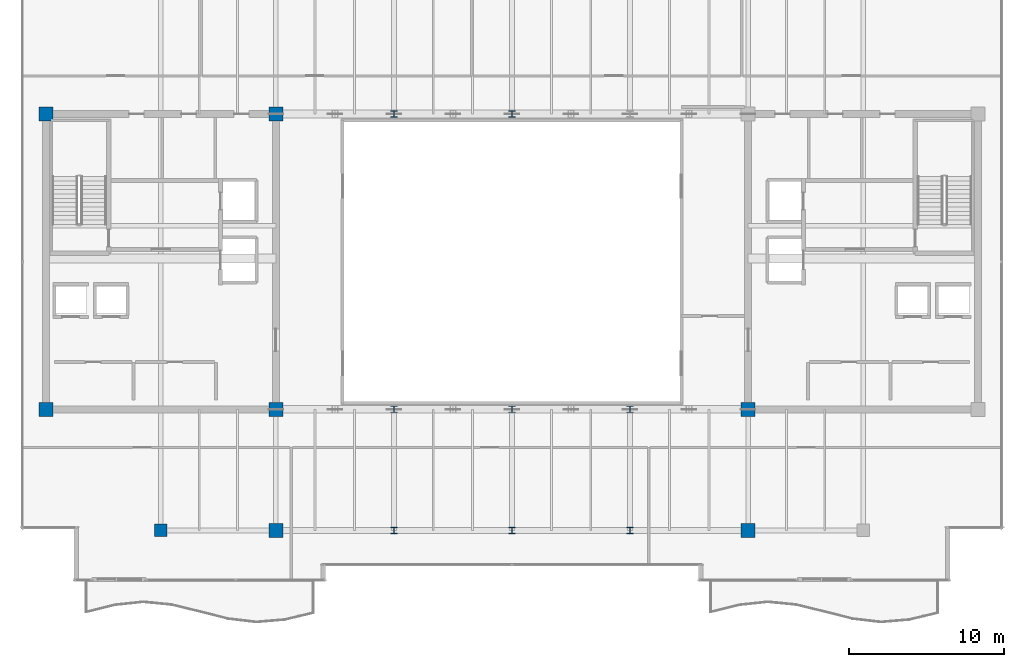
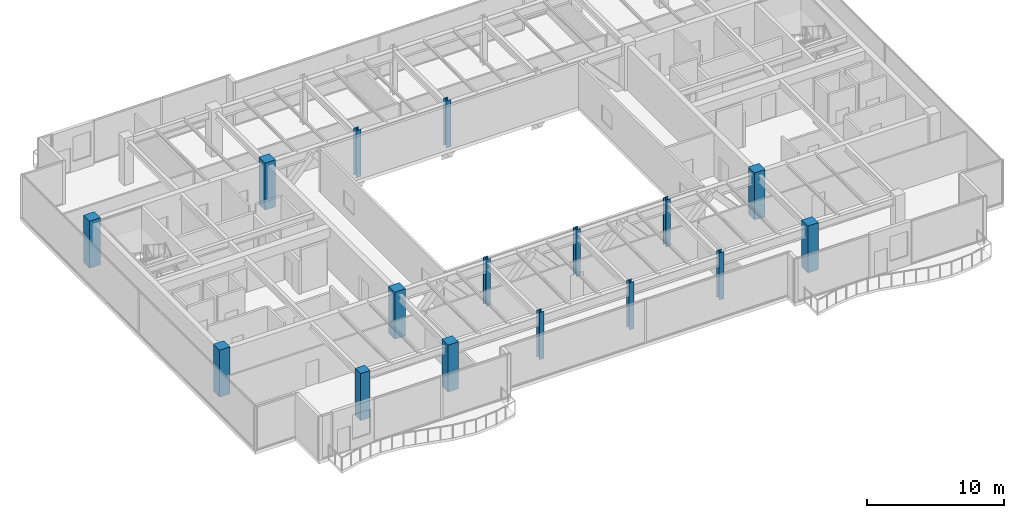
# One storey, part 1 of 31: 16 columns.
"""IFC4 building model written with IfcOpenShell, lengths in metres."""

from ifc_helpers import new_model, si_unit, direction, frame, origin, origin_2d, place, context, subcontext, project, spatial, rectangle, i_section, extrude, source, transform, mapped, material, material_profile, profile_set, type_object, type_shapes, element, save


model = new_model("IFC4")

# Units and contexts
model_context = context("Model", 3, precision=1e-05, world=origin(), true_north=direction((0.0, 1.0)))
body_context = subcontext(model_context, "Body", "Model", "MODEL_VIEW")
ifc_project = project(units=[si_unit("LENGTHUNIT", "METRE"), si_unit("AREAUNIT", "SQUARE_METRE"), si_unit("VOLUMEUNIT", "CUBIC_METRE"), si_unit("PLANEANGLEUNIT", "RADIAN"), si_unit("MASSUNIT", "GRAM", prefix="KILO")], contexts=[model_context])

# Site, building, storey
site_placement = place(None, origin())
site = spatial("IfcSite", under=ifc_project, at=site_placement, CompositionType="ELEMENT")
building_placement = place(site_placement, origin())
building = spatial("IfcBuilding", under=site, at=building_placement, Name="Haelvirn Gate Laboratories", CompositionType="ELEMENT")
storey_placement = place(building_placement, frame((0.0, 0.0, 310.199951171875)))
storey = spatial("IfcBuildingStorey", under=building, at=storey_placement, Name="L74", CompositionType="ELEMENT", Elevation=310.199951171875)

# Columns
ifc_material_1 = material(Name="Concrete C50/60", Category="concrete")
ifc_material_profile_1 = material_profile(ifc_material_1, rectangle(XDim=0.800048828125, YDim=0.800048828125, at=origin_2d()), Name="RC-800x800")
ifc_profile_set_1 = profile_set([ifc_material_profile_1], Name="Concrete C50/60")
column_type_1 = type_object("IfcColumnType", Name="COL-RC-800", PredefinedType="COLUMN", material=ifc_profile_set_1)
shared_shape_1 = source(origin(), body_context, "Body", "SweptSolid", [
    extrude(rectangle(XDim=0.800048828125, YDim=0.800048828125, at=origin_2d()), origin(), (0.0, 0.0, 1.0), 4.199951171875),
])
type_shapes(column_type_1, [shared_shape_1])
column_placement = place(storey_placement, frame((14.800048828125, 7.0, 0.0), z_axis=(0.0, 0.0, 1.0), x_axis=(1.0, 0.0, 0.0)))
element("IfcColumn", 1, at=column_placement, inside=storey, type_object=column_type_1, Name="L74 Column 3B", PredefinedType="COLUMN", context=body_context, shape_type="MappedRepresentation", body=[
    mapped(shared_shape_1, transform((0.0, 0.0, 0.0), scale=1.0)),
])
ifc_material_profile_2 = material_profile(ifc_material_1, rectangle(XDim=0.89990234375, YDim=0.89990234375, at=origin_2d()), Name="RC-900x900")
ifc_profile_set_2 = profile_set([ifc_material_profile_2], Name="Concrete C50/60")
column_type_2 = type_object("IfcColumnType", Name="COL-RC-900", PredefinedType="COLUMN", material=ifc_profile_set_2)
shared_shape_2 = source(origin(), body_context, "Body", "SweptSolid", [
    extrude(rectangle(XDim=0.89990234375, YDim=0.89990234375, at=origin_2d()), origin(), (0.0, 0.0, 1.0), 4.199951171875),
])
type_shapes(column_type_2, [shared_shape_2])
for number, where, z_axis, x_axis, name in (
    (2, (22.199951171875, 7.0, 0.0), (0.0, 0.0, 1.0), (1.0, 0.0, 0.0), "L74 Column 4B"),
    (3, (7.39990234375, 14.800048828125, 0.0), (0.0, 0.0, 1.0), (1.0, 0.0, 0.0), "L74 Column 2C"),
    (4, (22.199951171875, 14.800048828125, 0.0), (0.0, 0.0, 1.0), (1.0, 0.0, 0.0), "L74 Column 4C"),
    (5, (7.39990234375, 33.800048828125, 0.0), (0.0, 0.0, 1.0), (1.0, 0.0, 0.0), "L74 Column 2F"),
    (6, (22.199951171875, 33.800048828125, 0.0), (0.0, 0.0, 1.0), (1.0, 0.0, 0.0), "L74 Column 4F"),
    (7, (52.60009765625, 7.0, 0.0), (0.0, 0.0, 1.0), (1.0, 0.0, 0.0), "L74 Column 8B"),
    (8, (52.60009765625, 14.800048828125, 0.0), (0.0, 0.0, 1.0), (1.0, 0.0, 0.0), "L74 Column 8C"),
):
    element("IfcColumn", number, at=place(storey_placement, frame(where, z_axis=z_axis, x_axis=x_axis)), inside=storey, type_object=column_type_2, Name=name, PredefinedType="COLUMN", context=body_context, shape_type="MappedRepresentation", body=[
        mapped(shared_shape_2, transform((0.0, 0.0, 0.0), scale=1.0)),
    ])
ifc_material_2 = material(Name="Steel SM355", Category="steel")
ifc_material_profile_3 = material_profile(ifc_material_2, i_section(OverallWidth=0.39990234375, OverallDepth=0.39990234375, WebThickness=0.02099609375, FlangeThickness=0.02099609375, at=origin_2d()), Name="H-400x400x21x21")
ifc_profile_set_3 = profile_set([ifc_material_profile_3], Name="Steel SM355")
column_type_3 = type_object("IfcColumnType", Name="COL-H-400", PredefinedType="COLUMN", material=ifc_profile_set_3)
shared_shape_3 = source(origin(), body_context, "Body", "SweptSolid", [
    extrude(i_section(OverallWidth=0.39990234375, OverallDepth=0.39990234375, WebThickness=0.02099609375, FlangeThickness=0.02099609375, at=origin_2d()), origin(), (0.0, 0.0, 1.0), 4.199951171875),
])
type_shapes(column_type_3, [shared_shape_3])
for number, where, z_axis, x_axis, name in (
    (9, (29.800048828125, 7.0, 0.0), (0.0, 0.0, 1.0), (1.0, 0.0, 0.0), "L74 Column 5B"),
    (10, (29.800048828125, 14.800048828125, 0.0), (0.0, 0.0, 1.0), (1.0, 0.0, 0.0), "L74 Column 5C"),
    (11, (29.800048828125, 33.800048828125, 0.0), (0.0, 0.0, 1.0), (1.0, 0.0, 0.0), "L74 Column 5F"),
    (12, (37.39990234375, 7.0, 0.0), (0.0, 0.0, 1.0), (1.0, 0.0, 0.0), "L74 Column 6B"),
    (13, (37.39990234375, 14.800048828125, 0.0), (0.0, 0.0, 1.0), (1.0, 0.0, 0.0), "L74 Column 6C"),
    (14, (37.39990234375, 33.800048828125, 0.0), (0.0, 0.0, 1.0), (1.0, 0.0, 0.0), "L74 Column 6F"),
    (15, (45.0, 7.0, 0.0), (0.0, 0.0, 1.0), (1.0, 0.0, 0.0), "L74 Column 7B"),
    (16, (45.0, 14.800048828125, 0.0), (0.0, 0.0, 1.0), (1.0, 0.0, 0.0), "L74 Column 7C"),
):
    element("IfcColumn", number, at=place(storey_placement, frame(where, z_axis=z_axis, x_axis=x_axis)), inside=storey, type_object=column_type_3, Name=name, PredefinedType="COLUMN", context=body_context, shape_type="MappedRepresentation", body=[
        mapped(shared_shape_3, transform((0.0, 0.0, 0.0), scale=1.0)),
    ])

save(model, "model.ifc")
